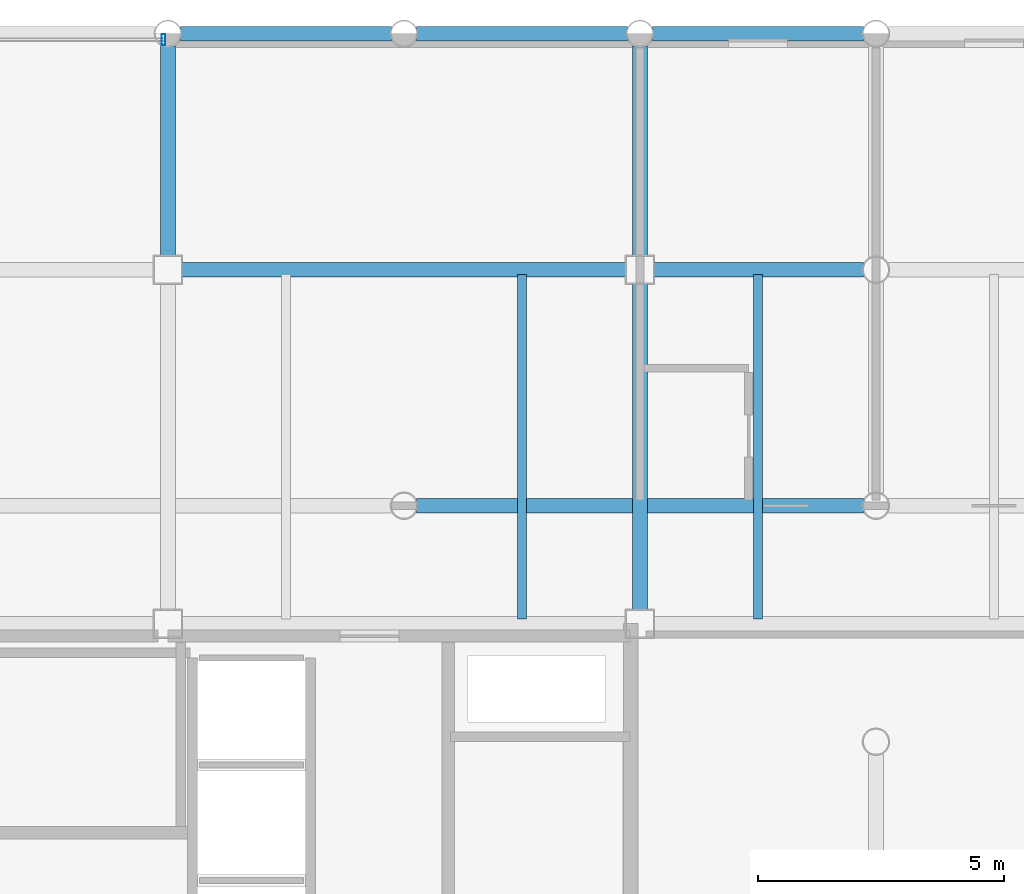
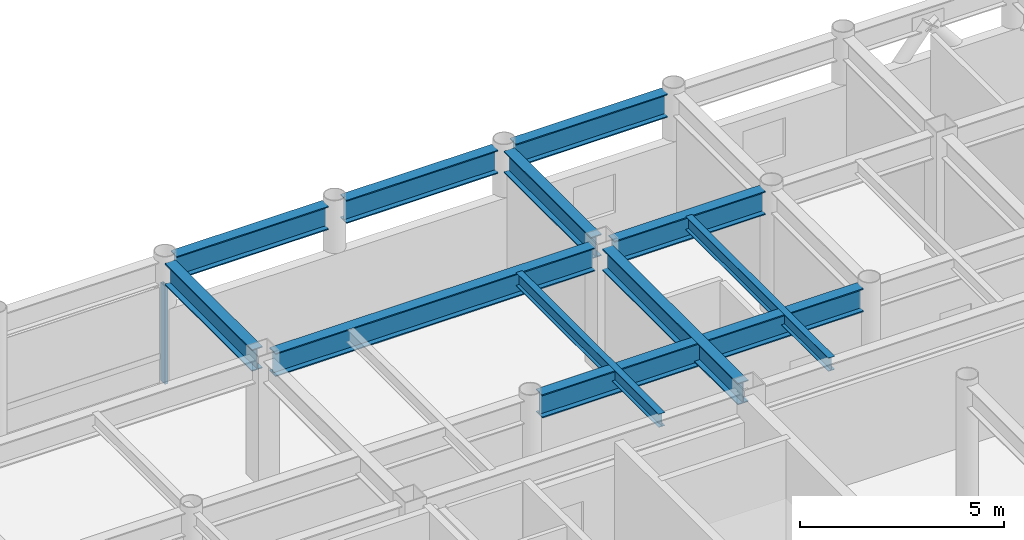
# One storey, part 14 of 21: 11 beams, 1 member, 1 element without a shape of its own.
"""IFC4 building model written with IfcOpenShell, lengths in metres."""

from ifc_helpers import new_model, si_unit, direction, frame, origin, origin_2d, place, context, subcontext, project, spatial, hollow_rectangle, i_section, extrude, material, layer, layer_set, material_profile, profile_set, type_object, element, aggregate, save


model = new_model("IFC4")

# Units and contexts
model_context = context("Model", 3, precision=1e-05, world=origin(), true_north=direction((0.0, 1.0)))
body_context = subcontext(model_context, "Body", "Model", "MODEL_VIEW")
ifc_project = project(units=[si_unit("LENGTHUNIT", "METRE"), si_unit("AREAUNIT", "SQUARE_METRE"), si_unit("VOLUMEUNIT", "CUBIC_METRE"), si_unit("PLANEANGLEUNIT", "RADIAN"), si_unit("MASSUNIT", "GRAM", prefix="KILO")], contexts=[model_context])

# Site, building, storey
site_placement = place(None, origin())
site = spatial("IfcSite", under=ifc_project, at=site_placement, CompositionType="ELEMENT")
building_placement = place(site_placement, origin())
building = spatial("IfcBuilding", under=site, at=building_placement, Name="Kallvorn Hotel Tower", CompositionType="ELEMENT")
storey_placement = place(building_placement, frame((0.0, 0.0, 214.60009765625)))
storey = spatial("IfcBuildingStorey", under=building, at=storey_placement, Name="L53", CompositionType="ELEMENT", Elevation=214.60009765625)

# Beams
ifc_material_1 = material(Name="Structural steel S355JR", Category="steel")
ifc_material_profile_1 = material_profile(ifc_material_1, i_section(OverallWidth=0.300048828125, OverallDepth=0.64990234375, WebThickness=0.01611328125, FlangeThickness=0.031005859375, at=origin_2d()), Name="HE 650 B")
ifc_profile_set_1 = profile_set([ifc_material_profile_1], Name="Structural steel S355JR")
beam_type_1 = type_object("IfcBeamType", Name="BM_HE650B", PredefinedType="BEAM", material=ifc_profile_set_1)
beam_1_placement = place(storey_placement, frame((4.800048828125, 14.675048828125, 3.344970703125), z_axis=(0.0, 1.0, 0.0), x_axis=(-1.0, 0.0, 0.0)))
element("IfcBeam", 1, at=beam_1_placement, inside=storey, type_object=beam_type_1, Name="L54 Primary Y-Girder 117", PredefinedType="BEAM", context=body_context, shape_type="SweptSolid", body=[
    extrude(i_section(OverallWidth=0.300048828125, OverallDepth=0.64990234375, WebThickness=0.01611328125, FlangeThickness=0.031005859375, at=origin_2d()), origin(), (0.0, 0.0, 1.0), 4.2705078125),
])
beam_2_placement = place(storey_placement, frame((14.39990234375, 7.47509765625, 3.344970703125), z_axis=(0.0, 1.0, 0.0), x_axis=(-1.0, 0.0, 0.0)))
element("IfcBeam", 2, at=beam_2_placement, inside=storey, type_object=beam_type_1, Name="L54 Primary Y-Girder 124", PredefinedType="BEAM", context=body_context, shape_type="SweptSolid", body=[
    extrude(i_section(OverallWidth=0.300048828125, OverallDepth=0.64990234375, WebThickness=0.01611328125, FlangeThickness=0.031005859375, at=origin_2d()), origin(), (0.0, 0.0, 1.0), 6.64990234375),
])
beam_3_placement = place(storey_placement, frame((14.39990234375, 14.675048828125, 3.344970703125), z_axis=(0.0, 1.0, 0.0), x_axis=(-1.0, 0.0, 0.0)))
element("IfcBeam", 3, at=beam_3_placement, inside=storey, type_object=beam_type_1, Name="L54 Primary Y-Girder 125", PredefinedType="BEAM", context=body_context, shape_type="SweptSolid", body=[
    extrude(i_section(OverallWidth=0.300048828125, OverallDepth=0.64990234375, WebThickness=0.01611328125, FlangeThickness=0.031005859375, at=origin_2d()), origin(), (0.0, 0.0, 1.0), 4.2705078125),
])
ifc_material_2 = material(Name="Structural steel S355JR", Category="steel")
ifc_material_profile_2 = material_profile(ifc_material_2, i_section(OverallWidth=0.300048828125, OverallDepth=0.699951171875, WebThickness=0.01708984375, FlangeThickness=0.031982421875, at=origin_2d()), Name="HE 700 B")
ifc_profile_set_2 = profile_set([ifc_material_profile_2], Name="Structural steel S355JR")
beam_type_2 = type_object("IfcBeamType", Name="BM_HE700B", PredefinedType="BEAM", material=ifc_profile_set_2)
beam_4_placement = place(storey_placement, frame((9.8544921875, 9.60009765625, 3.31982421875), z_axis=(1.0, 0.0, 0.0), x_axis=(0.0, 1.0, 0.0)))
element("IfcBeam", 4, at=beam_4_placement, inside=storey, type_object=beam_type_2, Name="L54 Primary X-Girder 47", PredefinedType="BEAM", context=body_context, shape_type="SweptSolid", body=[
    extrude(i_section(OverallWidth=0.300048828125, OverallDepth=0.699951171875, WebThickness=0.01708984375, FlangeThickness=0.031982421875, at=origin_2d()), origin(), (0.0, 0.0, 1.0), 9.091064453125),
])
beam_5_placement = place(storey_placement, frame((5.074951171875, 14.39990234375, 3.31982421875), z_axis=(1.0, 0.0, 0.0), x_axis=(0.0, 1.0, 0.0)))
element("IfcBeam", 5, at=beam_5_placement, inside=storey, type_object=beam_type_2, Name="L54 Primary X-Girder 56", PredefinedType="BEAM", context=body_context, shape_type="SweptSolid", body=[
    extrude(i_section(OverallWidth=0.300048828125, OverallDepth=0.699951171875, WebThickness=0.01708984375, FlangeThickness=0.031982421875, at=origin_2d()), origin(), (0.0, 0.0, 1.0), 9.050048828125),
])
beam_6_placement = place(storey_placement, frame((14.675048828125, 14.39990234375, 3.31982421875), z_axis=(1.0, 0.0, 0.0), x_axis=(0.0, 1.0, 0.0)))
element("IfcBeam", 6, at=beam_6_placement, inside=storey, type_object=beam_type_2, Name="L54 Primary X-Girder 57", PredefinedType="BEAM", context=body_context, shape_type="SweptSolid", body=[
    extrude(i_section(OverallWidth=0.300048828125, OverallDepth=0.699951171875, WebThickness=0.01708984375, FlangeThickness=0.031982421875, at=origin_2d()), origin(), (0.0, 0.0, 1.0), 4.2705078125),
])
for number, where, z_axis, x_axis, name in (
    (7, (5.054443359375, 19.199951171875, 3.31982421875), (1.0, 0.0, 0.0), (0.0, 1.0, 0.0), "L54 Primary X-Girder 68"),
    (8, (9.8544921875, 19.199951171875, 3.31982421875), (1.0, 0.0, 0.0), (0.0, 1.0, 0.0), "L54 Primary X-Girder 69"),
    (9, (14.654541015625, 19.199951171875, 3.31982421875), (1.0, 0.0, 0.0), (0.0, 1.0, 0.0), "L54 Primary X-Girder 70"),
):
    element("IfcBeam", number, at=place(storey_placement, frame(where, z_axis=z_axis, x_axis=x_axis)), inside=storey, type_object=beam_type_2, Name=name, PredefinedType="BEAM", context=body_context, shape_type="SweptSolid", body=[
        extrude(i_section(OverallWidth=0.300048828125, OverallDepth=0.699951171875, WebThickness=0.01708984375, FlangeThickness=0.031982421875, at=origin_2d()), origin(), (0.0, 0.0, 1.0), 4.291015625),
    ])
ifc_material_3 = material(Name="Structural steel S355JR", Category="steel")
ifc_material_profile_3 = material_profile(ifc_material_3, i_section(OverallWidth=0.179931640625, OverallDepth=0.39990234375, WebThickness=0.008544921875, FlangeThickness=0.013427734375, at=origin_2d()), Name="IPE 400")
ifc_profile_set_3 = profile_set([ifc_material_profile_3], Name="Structural steel S355JR")
beam_type_3 = type_object("IfcBeamType", Name="BM_IPE400", PredefinedType="JOIST", material=ifc_profile_set_3)
for number, where, z_axis, x_axis, name in (
    (10, (12.0, 7.300048828125, 3.469970703125), (0.0, 1.0, 0.0), (-1.0, 0.0, 0.0), "L54 Secondary Composite Joist 205"),
    (11, (16.800048828125, 7.300048828125, 3.469970703125), (0.0, 1.0, 0.0), (-1.0, 0.0, 0.0), "L54 Secondary Composite Joist 207"),
):
    element("IfcBeam", number, at=place(storey_placement, frame(where, z_axis=z_axis, x_axis=x_axis)), inside=storey, type_object=beam_type_3, Name=name, PredefinedType="JOIST", context=body_context, shape_type="SweptSolid", body=[
        extrude(i_section(OverallWidth=0.179931640625, OverallDepth=0.39990234375, WebThickness=0.008544921875, FlangeThickness=0.013427734375, at=origin_2d()), origin(), (0.0, 0.0, 1.0), 7.0),
    ])

# Curtain wall, member
ifc_material_4 = material(Name="Thermally broken black-anodised aluminium AA 6063-T6", Category="aluminium")
ifc_layer = layer(ifc_material_4, 0.22998046875)
ifc_layer_set = layer_set([ifc_layer], Name="CW_SYS_5_HOTEL_HIGH")
curtain_wall_type = type_object("IfcCurtainWallType", Name="CW_SYS_5_HOTEL_HIGH", PredefinedType="USERDEFINED", material=ifc_layer_set)
curtain_wall_placement = place(storey_placement, origin())
curtain_wall = element("IfcCurtainWall", 12, at=curtain_wall_placement, inside=storey, type_object=curtain_wall_type, Name="L53 Dark-Glass Curtain Wall CW-L53-NC", ObjectType="UNITISED CURTAIN WALL", PredefinedType="USERDEFINED")
ifc_material_5 = material(Name="Thermally broken black-anodised aluminium AA 6063-T6", Category="aluminium")
ifc_material_profile_4 = material_profile(ifc_material_5, hollow_rectangle(XDim=0.080078125, YDim=0.219970703125, WallThickness=0.0048828125, at=origin_2d()), Name="MUL 220x80")
ifc_profile_set_4 = profile_set([ifc_material_profile_4], Name="Thermally broken black-anodised aluminium AA 6063-T6")
member_type = type_object("IfcMemberType", Name="CW_MULLION_220x80", PredefinedType="MULLION", material=ifc_profile_set_4)
member_placement = place(storey_placement, frame((4.7099609375, 19.080078125, 0.02001953125), z_axis=(0.0, 0.0, 1.0), x_axis=(1.0, 0.0, 0.0)))
member = element("IfcMember", 13, at=member_placement, type_object=member_type, Name="CW-L53-NC Mullion 02", PredefinedType="MULLION", context=body_context, shape_type="SweptSolid", body=[
    extrude(hollow_rectangle(XDim=0.080078125, YDim=0.219970703125, WallThickness=0.0048828125, at=origin_2d()), origin(), (0.0, 0.0, 1.0), 2.929931640625),
])
aggregate(curtain_wall, [member])

save(model, "model.ifc")
